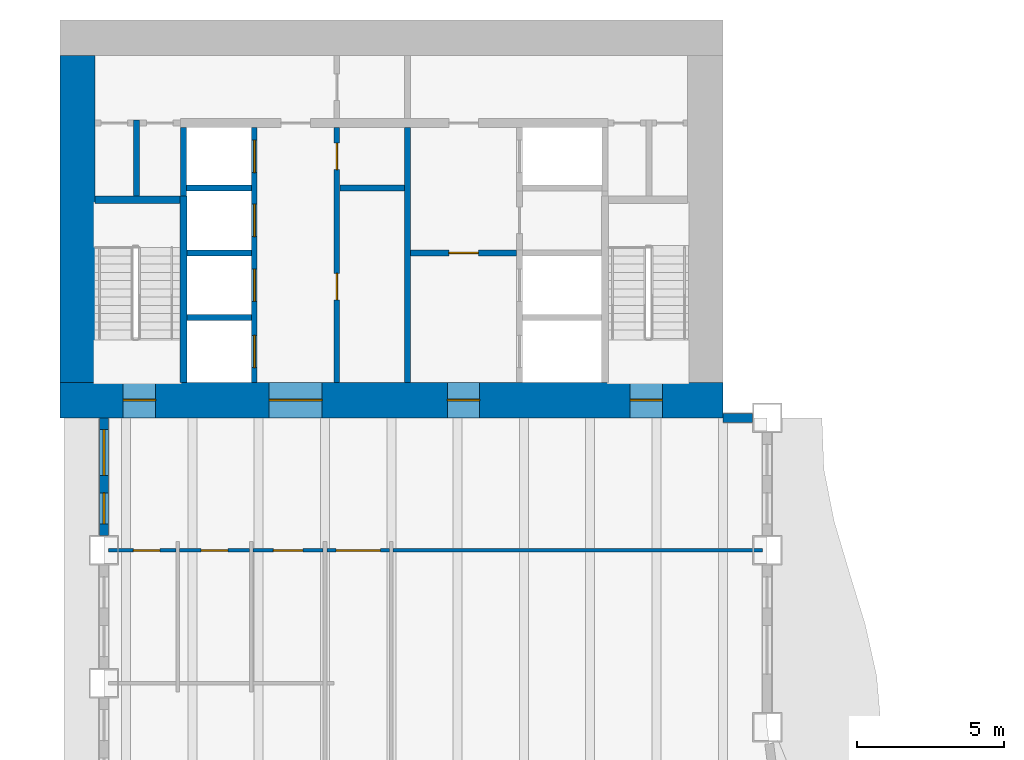
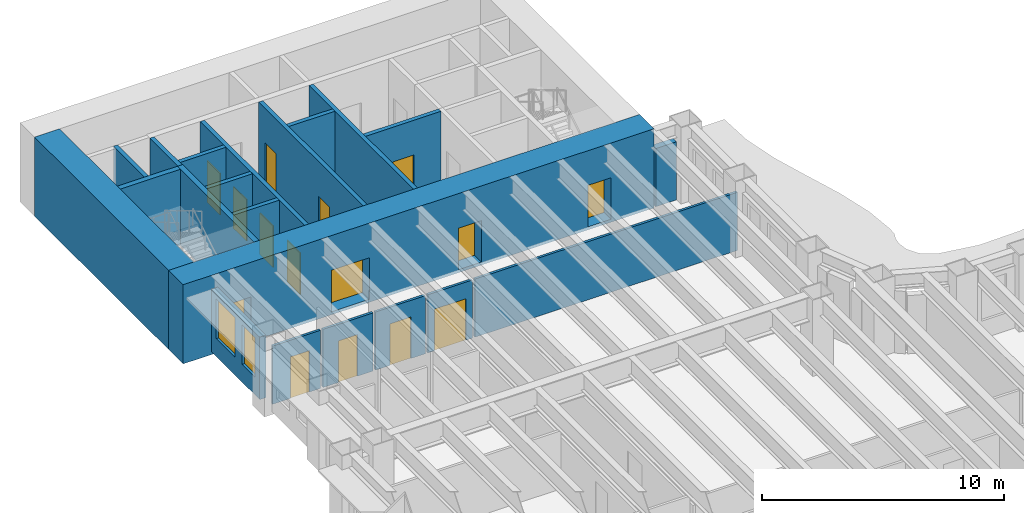
# One storey, part 8 of 16: 21 walls, 15 doors, 2 windows, 17 openings.
"""IFC4 building model written with IfcOpenShell, lengths in metres."""

from ifc_helpers import new_model, si_unit, direction, frame, frame_2d, origin, place, context, subcontext, project, spatial, rectangle, extrude, material, layer, layer_set, type_object, element, fill, save


model = new_model("IFC4")

# Units and contexts
model_context = context("Model", 3, precision=1e-05, world=origin(), true_north=direction((0.0, 1.0)))
body_context = subcontext(model_context, "Body", "Model", "MODEL_VIEW")
ifc_project = project(units=[si_unit("LENGTHUNIT", "METRE"), si_unit("AREAUNIT", "SQUARE_METRE"), si_unit("VOLUMEUNIT", "CUBIC_METRE"), si_unit("PLANEANGLEUNIT", "RADIAN"), si_unit("MASSUNIT", "GRAM", prefix="KILO")], contexts=[model_context])

# Site, building, storey
site_placement = place(None, origin())
site = spatial("IfcSite", under=ifc_project, at=site_placement, CompositionType="ELEMENT")
building_placement = place(site_placement, origin())
building = spatial("IfcBuilding", under=site, at=building_placement, Name="Sennacour Bend Tower", CompositionType="ELEMENT")
storey_placement = place(building_placement, frame((0.0, 0.0, 123.0)))
storey = spatial("IfcBuildingStorey", under=building, at=storey_placement, Name="L28", CompositionType="ELEMENT", Elevation=123.0)

# Wall, openings, doors
ifc_material_1 = material(Name="Concrete C80/95", Category="concrete")
ifc_layer_1 = layer(ifc_material_1, 1.199951171875, Name="Concrete C80/95", Category="concrete")
ifc_layer_set_1 = layer_set([ifc_layer_1], Name="Concrete C80/95")
wall_type_1 = type_object("IfcWallType", Name="Core wall 1200 C80/95", PredefinedType="SHEAR", material=ifc_layer_set_1)
wall_1_placement = place(storey_placement, frame((0.0, 36.60009765625, -0.14990234375), z_axis=(0.0, 0.0, 1.0), x_axis=(1.0, 0.0, 0.0)))
wall_1 = element("IfcWall", 1, at=wall_1_placement, inside=storey, type_object=wall_type_1, Name="Core B wall L28 S", PredefinedType="SHEAR", context=body_context, shape_type="SweptSolid", body=[
    extrude(rectangle(XDim=22.5, YDim=1.199951171875, at=frame_2d((11.25, 0.0))), origin(), (0.0, 0.0, 1.0), 4.0),
])
opening_1_placement = place(wall_1_placement, frame((7.10009765625, 0.0, 0.14990234375)))
opening_1 = element("IfcOpeningElement", 2, at=opening_1_placement, cuts=wall_1, Name="Opening CD", PredefinedType="OPENING", context=body_context, shape_type="SweptSolid", body=[
    extrude(rectangle(XDim=1.800048828125, YDim=2.10009765625, at=frame_2d((0.89990234375, 1.050048828125))), frame((0.0, 0.60986328125, 0.0), z_axis=(0.0, -1.0, 0.0), x_axis=(1.0, 0.0, 0.0)), (0.0, 0.0, 1.0), 1.219970703125),
])
opening_2_placement = place(wall_1_placement, frame((13.14990234375, 0.0, 0.14990234375)))
opening_2 = element("IfcOpeningElement", 3, at=opening_2_placement, cuts=wall_1, Name="Opening FD", PredefinedType="OPENING", context=body_context, shape_type="SweptSolid", body=[
    extrude(rectangle(XDim=1.10009765625, YDim=2.10009765625, at=frame_2d((0.550048828125, 1.050048828125))), frame((0.0, 0.60986328125, 0.0), z_axis=(0.0, -1.0, 0.0), x_axis=(1.0, 0.0, 0.0)), (0.0, 0.0, 1.0), 1.219970703125),
])
opening_3_placement = place(wall_1_placement, frame((2.14990234375, 0.0, 0.14990234375)))
opening_3 = element("IfcOpeningElement", 4, at=opening_3_placement, cuts=wall_1, Name="Opening SD", PredefinedType="OPENING", context=body_context, shape_type="SweptSolid", body=[
    extrude(rectangle(XDim=1.10009765625, YDim=2.10009765625, at=frame_2d((0.550048828125, 1.050048828125))), frame((0.0, 0.60986328125, 0.0), z_axis=(0.0, -1.0, 0.0), x_axis=(1.0, 0.0, 0.0)), (0.0, 0.0, 1.0), 1.219970703125),
])
opening_4_placement = place(wall_1_placement, frame((19.35009765625, 0.0, 0.14990234375)))
opening_4 = element("IfcOpeningElement", 5, at=opening_4_placement, cuts=wall_1, Name="Opening SD", PredefinedType="OPENING", context=body_context, shape_type="SweptSolid", body=[
    extrude(rectangle(XDim=1.10009765625, YDim=2.10009765625, at=frame_2d((0.550048828125, 1.050048828125))), frame((0.0, 0.60986328125, 0.0), z_axis=(0.0, -1.0, 0.0), x_axis=(1.0, 0.0, 0.0)), (0.0, 0.0, 1.0), 1.219970703125),
])
ifc_material_2 = material(Name="Painted steel", Category="steel")
door_type_1 = type_object("IfcDoorType", Name="DR-FFL-1100", OperationType="NOTDEFINED", PredefinedType="DOOR", material=ifc_material_2)
door_1_placement = place(opening_2_placement, origin())
door_1 = element("IfcDoor", 6, at=door_1_placement, inside=storey, type_object=door_type_1, Name="Door", OperationType="SINGLE_SWING_RIGHT", OverallHeight=2.10009765625, OverallWidth=1.10009765625, PredefinedType="DOOR", context=body_context, shape_type="SweptSolid", body=[
    extrude(rectangle(XDim=1.10009765625, YDim=2.10009765625, at=frame_2d((0.550048828125, 1.050048828125))), frame((0.0, 0.02490234375, 0.0), z_axis=(0.0, -1.0, 0.0), x_axis=(1.0, 0.0, 0.0)), (0.0, 0.0, 1.0), 0.050048828125),
])
fill(opening_2, door_1)
door_type_2 = type_object("IfcDoorType", Name="DR-LOBBY-1800", OperationType="NOTDEFINED", PredefinedType="DOOR", material=ifc_material_2)
door_2_placement = place(opening_1_placement, origin())
door_2 = element("IfcDoor", 7, at=door_2_placement, inside=storey, type_object=door_type_2, Name="Door", OperationType="DOUBLE_DOOR_SINGLE_SWING", OverallHeight=2.10009765625, OverallWidth=1.800048828125, PredefinedType="DOOR", context=body_context, shape_type="SweptSolid", body=[
    extrude(rectangle(XDim=1.800048828125, YDim=2.10009765625, at=frame_2d((0.89990234375, 1.050048828125))), frame((0.0, 0.02490234375, 0.0), z_axis=(0.0, -1.0, 0.0), x_axis=(1.0, 0.0, 0.0)), (0.0, 0.0, 1.0), 0.050048828125),
])
fill(opening_1, door_2)
door_type_3 = type_object("IfcDoorType", Name="DR-STAIR-1100", OperationType="NOTDEFINED", PredefinedType="DOOR", material=ifc_material_2)
door_3_placement = place(opening_3_placement, origin())
door_3 = element("IfcDoor", 8, at=door_3_placement, inside=storey, type_object=door_type_3, Name="Door", OperationType="SINGLE_SWING_LEFT", OverallHeight=2.10009765625, OverallWidth=1.10009765625, PredefinedType="DOOR", context=body_context, shape_type="SweptSolid", body=[
    extrude(rectangle(XDim=1.10009765625, YDim=2.10009765625, at=frame_2d((0.550048828125, 1.050048828125))), frame((0.0, 0.02490234375, 0.0), z_axis=(0.0, -1.0, 0.0), x_axis=(1.0, 0.0, 0.0)), (0.0, 0.0, 1.0), 0.050048828125),
])
fill(opening_3, door_3)
door_4_placement = place(opening_4_placement, origin())
door_4 = element("IfcDoor", 9, at=door_4_placement, inside=storey, type_object=door_type_3, Name="Door", OperationType="SINGLE_SWING_RIGHT", OverallHeight=2.10009765625, OverallWidth=1.10009765625, PredefinedType="DOOR", context=body_context, shape_type="SweptSolid", body=[
    extrude(rectangle(XDim=1.10009765625, YDim=2.10009765625, at=frame_2d((0.550048828125, 1.050048828125))), frame((0.0, 0.02490234375, 0.0), z_axis=(0.0, -1.0, 0.0), x_axis=(1.0, 0.0, 0.0)), (0.0, 0.0, 1.0), 0.050048828125),
])
fill(opening_4, door_4)

# Wall
wall_2_placement = place(storey_placement, frame((0.60009765625, 37.199951171875, -0.14990234375), z_axis=(0.0, 0.0, 1.0), x_axis=(0.0, 1.0, 0.0)))
element("IfcWall", 10, at=wall_2_placement, inside=storey, type_object=wall_type_1, Name="Core B wall L28 W", PredefinedType="SHEAR", context=body_context, shape_type="SweptSolid", body=[
    extrude(rectangle(XDim=11.10009765625, YDim=1.199951171875, at=frame_2d((5.550048828125, 0.0))), origin(), (0.0, 0.0, 1.0), 4.0),
])

# Wall, opening, door
ifc_material_3 = material(Name="Plasterboard partition on steel studs", Category="steel")
ifc_layer_2 = layer(ifc_material_3, 0.1201171875, Name="Plasterboard partition on steel studs", Category="steel")
ifc_layer_set_2 = layer_set([ifc_layer_2], Name="Plasterboard partition on steel studs")
wall_type_2 = type_object("IfcWallType", Name="Partition 120", PredefinedType="PARTITIONING", material=ifc_layer_set_2)
wall_3_placement = place(storey_placement, frame((1.64990234375, 31.5, 0.0), z_axis=(0.0, 0.0, 1.0), x_axis=(1.0, 0.0, 0.0)))
wall_3 = element("IfcWall", 11, at=wall_3_placement, inside=storey, type_object=wall_type_2, Name="P-L28-W074aa", PredefinedType="PARTITIONING", context=body_context, shape_type="SweptSolid", body=[
    extrude(rectangle(XDim=2.2900390625, YDim=0.1201171875, at=frame_2d((1.14501953125, 0.0))), origin(), (0.0, 0.0, 1.0), 2.93798828125),
])
opening_5_placement = place(wall_3_placement, frame((0.85009765625, 0.0, 0.0)))
opening_5 = element("IfcOpeningElement", 12, at=opening_5_placement, cuts=wall_3, Name="Opening WD", PredefinedType="OPENING", context=body_context, shape_type="SweptSolid", body=[
    extrude(rectangle(XDim=0.89990234375, YDim=2.10009765625, at=frame_2d((0.449951171875, 1.050048828125))), frame((0.0, 0.070068359375, 0.0), z_axis=(0.0, -1.0, 0.0), x_axis=(1.0, 0.0, 0.0)), (0.0, 0.0, 1.0), 0.14013671875),
])
ifc_material_4 = material(Name="Timber", Category="wood")
door_type_4 = type_object("IfcDoorType", Name="DR-WC-900", OperationType="NOTDEFINED", PredefinedType="DOOR", material=ifc_material_4)
door_5_placement = place(opening_5_placement, origin())
door_5 = element("IfcDoor", 13, at=door_5_placement, inside=storey, type_object=door_type_4, Name="Door", OperationType="SINGLE_SWING_RIGHT", OverallHeight=2.10009765625, OverallWidth=0.89990234375, PredefinedType="DOOR", context=body_context, shape_type="SweptSolid", body=[
    extrude(rectangle(XDim=0.89990234375, YDim=2.10009765625, at=frame_2d((0.449951171875, 1.050048828125))), frame((0.0, 0.02490234375, 0.0), z_axis=(0.0, -1.0, 0.0), x_axis=(1.0, 0.0, 0.0)), (0.0, 0.0, 1.0), 0.050048828125),
])
fill(opening_5, door_5)

wall_4_placement = place(storey_placement, frame((4.06005859375, 31.5, 0.0), z_axis=(0.0, 0.0, 1.0), x_axis=(1.0, 0.0, 0.0)))
wall_4 = element("IfcWall", 14, at=wall_4_placement, inside=storey, type_object=wall_type_2, Name="P-L28-W074ab", PredefinedType="PARTITIONING", context=body_context, shape_type="SweptSolid", body=[
    extrude(rectangle(XDim=2.3798828125, YDim=0.1201171875, at=frame_2d((1.18994140625, 0.0))), origin(), (0.0, 0.0, 1.0), 2.93798828125),
])
opening_6_placement = place(wall_4_placement, frame((0.739990234375, 0.0, 0.0)))
opening_6 = element("IfcOpeningElement", 15, at=opening_6_placement, cuts=wall_4, Name="Opening WD", PredefinedType="OPENING", context=body_context, shape_type="SweptSolid", body=[
    extrude(rectangle(XDim=0.89990234375, YDim=2.10009765625, at=frame_2d((0.449951171875, 1.050048828125))), frame((0.0, 0.070068359375, 0.0), z_axis=(0.0, -1.0, 0.0), x_axis=(1.0, 0.0, 0.0)), (0.0, 0.0, 1.0), 0.14013671875),
])
door_6_placement = place(opening_6_placement, origin())
door_6 = element("IfcDoor", 16, at=door_6_placement, inside=storey, type_object=door_type_4, Name="Door", OperationType="SINGLE_SWING_LEFT", OverallHeight=2.10009765625, OverallWidth=0.89990234375, PredefinedType="DOOR", context=body_context, shape_type="SweptSolid", body=[
    extrude(rectangle(XDim=0.89990234375, YDim=2.10009765625, at=frame_2d((0.449951171875, 1.050048828125))), frame((0.0, 0.02490234375, 0.0), z_axis=(0.0, -1.0, 0.0), x_axis=(1.0, 0.0, 0.0)), (0.0, 0.0, 1.0), 0.050048828125),
])
fill(opening_6, door_6)

wall_5_placement = place(storey_placement, frame((6.56005859375, 31.5, 0.0), z_axis=(0.0, 0.0, 1.0), x_axis=(1.0, 0.0, 0.0)))
wall_5 = element("IfcWall", 17, at=wall_5_placement, inside=storey, type_object=wall_type_2, Name="P-L28-W074ac", PredefinedType="PARTITIONING", context=body_context, shape_type="SweptSolid", body=[
    extrude(rectangle(XDim=2.3798828125, YDim=0.1201171875, at=frame_2d((1.18994140625, 0.0))), origin(), (0.0, 0.0, 1.0), 2.93798828125),
])
opening_7_placement = place(wall_5_placement, frame((0.68994140625, 0.0, 0.0)))
opening_7 = element("IfcOpeningElement", 18, at=opening_7_placement, cuts=wall_5, Name="Opening AD", PredefinedType="OPENING", context=body_context, shape_type="SweptSolid", body=[
    extrude(rectangle(XDim=1.0, YDim=2.10009765625, at=frame_2d((0.5, 1.050048828125))), frame((0.0, 0.070068359375, 0.0), z_axis=(0.0, -1.0, 0.0), x_axis=(1.0, 0.0, 0.0)), (0.0, 0.0, 1.0), 0.14013671875),
])
door_type_5 = type_object("IfcDoorType", Name="DR-ACC-WC-1000", OperationType="NOTDEFINED", PredefinedType="DOOR", material=ifc_material_4)
door_7_placement = place(opening_7_placement, origin())
door_7 = element("IfcDoor", 19, at=door_7_placement, inside=storey, type_object=door_type_5, Name="Door", OperationType="SINGLE_SWING_LEFT", OverallHeight=2.10009765625, OverallWidth=1.0, PredefinedType="DOOR", context=body_context, shape_type="SweptSolid", body=[
    extrude(rectangle(XDim=1.0, YDim=2.10009765625, at=frame_2d((0.5, 1.050048828125))), frame((0.0, 0.02490234375, 0.0), z_axis=(0.0, -1.0, 0.0), x_axis=(1.0, 0.0, 0.0)), (0.0, 0.0, 1.0), 0.050048828125),
])
fill(opening_7, door_7)

# Wall
wall_6_placement = place(storey_placement, frame((11.31005859375, 31.5, 0.0), z_axis=(0.0, 0.0, 1.0), x_axis=(1.0, 0.0, 0.0)))
element("IfcWall", 20, at=wall_6_placement, inside=storey, type_object=wall_type_2, Name="P-L28-W074ae", PredefinedType="PARTITIONING", context=body_context, shape_type="SweptSolid", body=[
    extrude(rectangle(XDim=12.5400390625, YDim=0.1201171875, at=frame_2d((6.27001953125, 0.0))), origin(), (0.0, 0.0, 1.0), 2.93798828125),
])

# Wall, opening, door
ifc_layer_3 = layer(ifc_material_3, 0.1201171875, Name="Plasterboard partition on steel studs", Category="steel")
ifc_layer_set_3 = layer_set([ifc_layer_3], Name="Plasterboard partition on steel studs")
wall_type_3 = type_object("IfcWallType", Name="Partition 120 EI 30", PredefinedType="PARTITIONING", material=ifc_layer_set_3)
wall_7_placement = place(storey_placement, frame((9.06005859375, 31.5, 0.0), z_axis=(0.0, 0.0, 1.0), x_axis=(1.0, 0.0, 0.0)))
wall_7 = element("IfcWall", 21, at=wall_7_placement, inside=storey, type_object=wall_type_3, Name="P-L28-W074ad", PredefinedType="PARTITIONING", context=body_context, shape_type="SweptSolid", body=[
    extrude(rectangle(XDim=2.1298828125, YDim=0.1201171875, at=frame_2d((1.06494140625, 0.0))), origin(), (0.0, 0.0, 1.0), 2.93798828125),
])
opening_8_placement = place(wall_7_placement, frame((0.31494140625, 0.0, 0.0)))
opening_8 = element("IfcOpeningElement", 22, at=opening_8_placement, cuts=wall_7, Name="Opening KD", PredefinedType="OPENING", context=body_context, shape_type="SweptSolid", body=[
    extrude(rectangle(XDim=1.5, YDim=2.10009765625, at=frame_2d((0.75, 1.050048828125))), frame((0.0, 0.070068359375, 0.0), z_axis=(0.0, -1.0, 0.0), x_axis=(1.0, 0.0, 0.0)), (0.0, 0.0, 1.0), 0.14013671875),
])
door_type_6 = type_object("IfcDoorType", Name="DR-CORRIDOR-1500", OperationType="NOTDEFINED", PredefinedType="DOOR", material=ifc_material_2)
door_8_placement = place(opening_8_placement, origin())
door_8 = element("IfcDoor", 23, at=door_8_placement, inside=storey, type_object=door_type_6, Name="Door", OperationType="SINGLE_SWING_LEFT", OverallHeight=2.10009765625, OverallWidth=1.5, PredefinedType="DOOR", context=body_context, shape_type="SweptSolid", body=[
    extrude(rectangle(XDim=1.5, YDim=2.10009765625, at=frame_2d((0.75, 1.050048828125))), frame((0.0, 0.02490234375, 0.0), z_axis=(0.0, -1.0, 0.0), x_axis=(1.0, 0.0, 0.0)), (0.0, 0.0, 1.0), 0.050048828125),
])
fill(opening_8, door_8)

# Wall
ifc_material_5 = material(Name="Fire-rated plasterboard partition on steel studs", Category="steel")
ifc_layer_4 = layer(ifc_material_5, 0.199951171875, Name="Fire-rated plasterboard partition on steel studs", Category="steel")
ifc_layer_set_4 = layer_set([ifc_layer_4], Name="Fire-rated plasterboard partition on steel studs")
wall_type_4 = type_object("IfcWallType", Name="Rated partition 200", PredefinedType="PARTITIONING", material=ifc_layer_set_4)
wall_8_placement = place(storey_placement, frame((2.60009765625, 43.52490234375, 0.0), z_axis=(0.0, 0.0, 1.0), x_axis=(0.0, 1.0, 0.0)))
element("IfcWall", 24, at=wall_8_placement, inside=storey, type_object=wall_type_4, Name="P-L28-W004", PredefinedType="PARTITIONING", context=body_context, shape_type="SweptSolid", body=[
    extrude(rectangle(XDim=2.5751953125, YDim=0.199951171875, at=frame_2d((1.28759765625, 0.0))), origin(), (0.0, 0.0, 1.0), 3.85009765625),
])

# Wall, openings, doors
wall_9_placement = place(storey_placement, frame((9.39990234375, 37.199951171875, 0.0), z_axis=(0.0, 0.0, 1.0), x_axis=(0.0, 1.0, 0.0)))
wall_9 = element("IfcWall", 25, at=wall_9_placement, inside=storey, type_object=wall_type_4, Name="P-L28-W012a", PredefinedType="PARTITIONING", context=body_context, shape_type="SweptSolid", body=[
    extrude(rectangle(XDim=8.650146484375, YDim=0.199951171875, at=frame_2d((4.3251953125, 0.0))), origin(), (0.0, 0.0, 1.0), 3.85009765625),
])
opening_9_placement = place(wall_9_placement, frame((2.800048828125, 0.0, 0.0)))
opening_9 = element("IfcOpeningElement", 26, at=opening_9_placement, cuts=wall_9, Name="Opening SV", PredefinedType="OPENING", context=body_context, shape_type="SweptSolid", body=[
    extrude(rectangle(XDim=0.89990234375, YDim=2.10009765625, at=frame_2d((0.449951171875, 1.050048828125))), frame((0.0, 0.10986328125, 0.0), z_axis=(0.0, -1.0, 0.0), x_axis=(1.0, 0.0, 0.0)), (0.0, 0.0, 1.0), 0.219970703125),
])
opening_10_placement = place(wall_9_placement, frame((7.22509765625, 0.0, 0.0)))
opening_10 = element("IfcOpeningElement", 27, at=opening_10_placement, cuts=wall_9, Name="Opening SV", PredefinedType="OPENING", context=body_context, shape_type="SweptSolid", body=[
    extrude(rectangle(XDim=0.89990234375, YDim=2.10009765625, at=frame_2d((0.449951171875, 1.050048828125))), frame((0.0, 0.10986328125, 0.0), z_axis=(0.0, -1.0, 0.0), x_axis=(1.0, 0.0, 0.0)), (0.0, 0.0, 1.0), 0.219970703125),
])
door_type_7 = type_object("IfcDoorType", Name="DR-SERVICE-900", OperationType="NOTDEFINED", PredefinedType="DOOR", material=ifc_material_2)
door_9_placement = place(opening_9_placement, origin())
door_9 = element("IfcDoor", 28, at=door_9_placement, inside=storey, type_object=door_type_7, Name="Door", OperationType="SINGLE_SWING_LEFT", OverallHeight=2.10009765625, OverallWidth=0.89990234375, PredefinedType="DOOR", context=body_context, shape_type="SweptSolid", body=[
    extrude(rectangle(XDim=0.89990234375, YDim=2.10009765625, at=frame_2d((0.449951171875, 1.050048828125))), frame((0.0, 0.02490234375, 0.0), z_axis=(0.0, -1.0, 0.0), x_axis=(1.0, 0.0, 0.0)), (0.0, 0.0, 1.0), 0.050048828125),
])
fill(opening_9, door_9)
door_10_placement = place(opening_10_placement, origin())
door_10 = element("IfcDoor", 29, at=door_10_placement, inside=storey, type_object=door_type_7, Name="Door", OperationType="SINGLE_SWING_RIGHT", OverallHeight=2.10009765625, OverallWidth=0.89990234375, PredefinedType="DOOR", context=body_context, shape_type="SweptSolid", body=[
    extrude(rectangle(XDim=0.89990234375, YDim=2.10009765625, at=frame_2d((0.449951171875, 1.050048828125))), frame((0.0, 0.02490234375, 0.0), z_axis=(0.0, -1.0, 0.0), x_axis=(1.0, 0.0, 0.0)), (0.0, 0.0, 1.0), 0.050048828125),
])
fill(opening_10, door_10)

# Walls
wall_10_placement = place(storey_placement, frame((11.800048828125, 37.199951171875, 0.0), z_axis=(0.0, 0.0, 1.0), x_axis=(0.0, 1.0, 0.0)))
element("IfcWall", 30, at=wall_10_placement, inside=storey, type_object=wall_type_4, Name="P-L28-W014a", PredefinedType="PARTITIONING", context=body_context, shape_type="SweptSolid", body=[
    extrude(rectangle(XDim=8.650146484375, YDim=0.199951171875, at=frame_2d((4.3251953125, 0.0))), origin(), (0.0, 0.0, 1.0), 3.85009765625),
])
wall_11_placement = place(storey_placement, frame((9.5, 43.800048828125, 0.0), z_axis=(0.0, 0.0, 1.0), x_axis=(1.0, 0.0, 0.0)))
element("IfcWall", 31, at=wall_11_placement, inside=storey, type_object=wall_type_4, Name="P-L28-W084", PredefinedType="PARTITIONING", context=body_context, shape_type="SweptSolid", body=[
    extrude(rectangle(XDim=2.199951171875, YDim=0.199951171875, at=frame_2d((1.10009765625, 0.0))), origin(), (0.0, 0.0, 1.0), 3.85009765625),
])

# Wall, opening, door
ifc_layer_5 = layer(ifc_material_5, 0.199951171875, Name="Fire-rated plasterboard partition on steel studs", Category="steel")
ifc_layer_set_5 = layer_set([ifc_layer_5], Name="Fire-rated plasterboard partition on steel studs")
wall_type_5 = type_object("IfcWallType", Name="Rated partition 200 EI 90", PredefinedType="PARTITIONING", material=ifc_layer_set_5)
wall_12_placement = place(storey_placement, frame((11.89990234375, 41.60009765625, 0.0), z_axis=(0.0, 0.0, 1.0), x_axis=(1.0, 0.0, 0.0)))
wall_12 = element("IfcWall", 32, at=wall_12_placement, inside=storey, type_object=wall_type_5, Name="P-L28-W079", PredefinedType="PARTITIONING", context=body_context, shape_type="SweptSolid", body=[
    extrude(rectangle(XDim=3.60009765625, YDim=0.199951171875, at=frame_2d((1.800048828125, 0.0))), origin(), (0.0, 0.0, 1.0), 3.85009765625),
])
opening_11_placement = place(wall_12_placement, frame((1.300048828125, 0.0, 0.0)))
opening_11 = element("IfcOpeningElement", 33, at=opening_11_placement, cuts=wall_12, Name="Opening FD2", PredefinedType="OPENING", context=body_context, shape_type="SweptSolid", body=[
    extrude(rectangle(XDim=1.0, YDim=2.10009765625, at=frame_2d((0.5, 1.050048828125))), frame((0.0, 0.10986328125, 0.0), z_axis=(0.0, -1.0, 0.0), x_axis=(1.0, 0.0, 0.0)), (0.0, 0.0, 1.0), 0.219970703125),
])
door_type_8 = type_object("IfcDoorType", Name="DR-FFL-1000", OperationType="NOTDEFINED", PredefinedType="DOOR", material=ifc_material_2)
door_11_placement = place(opening_11_placement, origin())
door_11 = element("IfcDoor", 34, at=door_11_placement, inside=storey, type_object=door_type_8, Name="Door", OperationType="SINGLE_SWING_LEFT", OverallHeight=2.10009765625, OverallWidth=1.0, PredefinedType="DOOR", context=body_context, shape_type="SweptSolid", body=[
    extrude(rectangle(XDim=1.0, YDim=2.10009765625, at=frame_2d((0.5, 1.050048828125))), frame((0.0, 0.02490234375, 0.0), z_axis=(0.0, -1.0, 0.0), x_axis=(1.0, 0.0, 0.0)), (0.0, 0.0, 1.0), 0.050048828125),
])
fill(opening_11, door_11)

# Wall
ifc_material_6 = material(Name="Warm limestone cladding", Category="masonry")
ifc_layer_6 = layer(ifc_material_6, 0.050048828125, Name="Warm limestone cladding", Category="masonry")
ifc_material_7 = material(Name="Precast concrete C40/50", Category="concrete")
ifc_layer_7 = layer(ifc_material_7, 0.25, Name="Precast concrete C40/50", Category="concrete")
ifc_layer_set_6 = layer_set([ifc_layer_6, ifc_layer_7], Name="Precast concrete C40/50 with limestone cladding")
wall_type_6 = type_object("IfcWallType", Name="STONE-CLAD PRECAST SPANDREL 300", PredefinedType="STANDARD", material=ifc_layer_set_6)
wall_13_placement = place(storey_placement, frame((23.5, 36.0, 0.0), z_axis=(0.0, 0.0, 1.0), x_axis=(-1.0, 0.0, 0.0)))
element("IfcWall", 35, at=wall_13_placement, inside=storey, type_object=wall_type_6, Name="Stone spandrel and pier wall L28 14.00", PredefinedType="STANDARD", context=body_context, shape_type="SweptSolid", body=[
    extrude(rectangle(XDim=1.0, YDim=0.300048828125, at=frame_2d((0.5, 0.0))), origin(), (0.0, 0.0, 1.0), 2.93798828125),
])

# Wall, openings, windows
wall_14_placement = place(storey_placement, frame((1.5, 36.0, 0.0), z_axis=(0.0, 0.0, 1.0), x_axis=(0.0, -1.0, 0.0)))
wall_14 = element("IfcWall", 36, at=wall_14_placement, inside=storey, type_object=wall_type_6, Name="Stone spandrel and pier wall L28 19.00", PredefinedType="STANDARD", context=body_context, shape_type="SweptSolid", body=[
    extrude(rectangle(XDim=4.0, YDim=0.300048828125, at=frame_2d((2.0, 0.0))), origin(), (0.0, 0.0, 1.0), 3.154052734375),
])
opening_12_placement = place(wall_14_placement, frame((0.39990234375, 0.0, 0.89990234375)))
opening_12 = element("IfcOpeningElement", 37, at=opening_12_placement, cuts=wall_14, Name="Opening W9", PredefinedType="OPENING", context=body_context, shape_type="SweptSolid", body=[
    extrude(rectangle(XDim=1.550048828125, YDim=2.0, at=frame_2d((0.77490234375, 1.0))), frame((0.0, 0.16015625, 0.0), z_axis=(0.0, -1.0, 0.0), x_axis=(1.0, 0.0, 0.0)), (0.0, 0.0, 1.0), 0.320068359375),
])
opening_13_placement = place(wall_14_placement, frame((2.550048828125, 0.0, 0.89990234375)))
opening_13 = element("IfcOpeningElement", 38, at=opening_13_placement, cuts=wall_14, Name="Opening W13", PredefinedType="OPENING", context=body_context, shape_type="SweptSolid", body=[
    extrude(rectangle(XDim=1.050048828125, YDim=2.0, at=frame_2d((0.52490234375, 1.0))), frame((0.0, 0.16015625, 0.0), z_axis=(0.0, -1.0, 0.0), x_axis=(1.0, 0.0, 0.0)), (0.0, 0.0, 1.0), 0.320068359375),
])
ifc_material_8 = material(Name="Clear low-emissivity glass", Category="glass")
window_type_1 = type_object("IfcWindowType", Name="WIN-RIBBON-1050x2000", PartitioningType="SINGLE_PANEL", PredefinedType="WINDOW", material=ifc_material_8)
window_1_placement = place(opening_13_placement, origin())
window_1 = element("IfcWindow", 39, at=window_1_placement, inside=storey, type_object=window_type_1, Name="Ribbon window L28 19.00.1", OverallHeight=2.0, OverallWidth=1.050048828125, PartitioningType="SINGLE_PANEL", PredefinedType="WINDOW", context=body_context, shape_type="SweptSolid", body=[
    extrude(rectangle(XDim=1.050048828125, YDim=2.0, at=frame_2d((0.52490234375, 1.0))), frame((0.0, 0.030029296875, 0.0), z_axis=(0.0, -1.0, 0.0), x_axis=(1.0, 0.0, 0.0)), (0.0, 0.0, 1.0), 0.06005859375),
])
fill(opening_13, window_1)
window_type_2 = type_object("IfcWindowType", Name="WIN-RIBBON-1550x2000", PartitioningType="SINGLE_PANEL", PredefinedType="WINDOW", material=ifc_material_8)
window_2_placement = place(opening_12_placement, origin())
window_2 = element("IfcWindow", 40, at=window_2_placement, inside=storey, type_object=window_type_2, Name="Ribbon window L28 19.00.0", OverallHeight=2.0, OverallWidth=1.550048828125, PartitioningType="SINGLE_PANEL", PredefinedType="WINDOW", context=body_context, shape_type="SweptSolid", body=[
    extrude(rectangle(XDim=1.550048828125, YDim=2.0, at=frame_2d((0.77490234375, 1.0))), frame((0.0, 0.030029296875, 0.0), z_axis=(0.0, -1.0, 0.0), x_axis=(1.0, 0.0, 0.0)), (0.0, 0.0, 1.0), 0.06005859375),
])
fill(opening_12, window_2)

# Wall
ifc_material_9 = material(Name="Concrete C50/60", Category="concrete")
ifc_layer_8 = layer(ifc_material_9, 0.199951171875, Name="Concrete C50/60", Category="concrete")
ifc_layer_set_7 = layer_set([ifc_layer_8], Name="Concrete C50/60")
wall_type_7 = type_object("IfcWallType", Name="Shaft wall 200", PredefinedType="SOLIDWALL", material=ifc_layer_set_7)
wall_15_placement = place(storey_placement, frame((4.199951171875, 43.52490234375, 0.0), z_axis=(0.0, 0.0, 1.0), x_axis=(0.0, 1.0, 0.0)))
element("IfcWall", 41, at=wall_15_placement, inside=storey, type_object=wall_type_7, Name="P-L28-W007", PredefinedType="SOLIDWALL", context=body_context, shape_type="SweptSolid", body=[
    extrude(rectangle(XDim=2.3251953125, YDim=0.199951171875, at=frame_2d((1.16259765625, 0.0))), origin(), (0.0, 0.0, 1.0), 3.85009765625),
])

# Wall, openings, doors
wall_16_placement = place(storey_placement, frame((6.60009765625, 37.199951171875, 0.0), z_axis=(0.0, 0.0, 1.0), x_axis=(0.0, 1.0, 0.0)))
wall_16 = element("IfcWall", 42, at=wall_16_placement, inside=storey, type_object=wall_type_7, Name="P-L28-W009", PredefinedType="SOLIDWALL", context=body_context, shape_type="SweptSolid", body=[
    extrude(rectangle(XDim=8.650146484375, YDim=0.199951171875, at=frame_2d((4.3251953125, 0.0))), origin(), (0.0, 0.0, 1.0), 3.85009765625),
])
opening_14_placement = place(wall_16_placement, frame((0.5, 0.0, 0.011962890625)))
opening_14 = element("IfcOpeningElement", 43, at=opening_14_placement, cuts=wall_16, Name="Opening LD", PredefinedType="OPENING", context=body_context, shape_type="SweptSolid", body=[
    extrude(rectangle(XDim=1.10009765625, YDim=2.10009765625, at=frame_2d((0.550048828125, 1.050048828125))), frame((0.0, 0.10986328125, 0.0), z_axis=(0.0, -1.0, 0.0), x_axis=(1.0, 0.0, 0.0)), (0.0, 0.0, 1.0), 0.219970703125),
])
opening_15_placement = place(wall_16_placement, frame((2.75, 0.0, 0.011962890625)))
opening_15 = element("IfcOpeningElement", 44, at=opening_15_placement, cuts=wall_16, Name="Opening LD", PredefinedType="OPENING", context=body_context, shape_type="SweptSolid", body=[
    extrude(rectangle(XDim=1.10009765625, YDim=2.10009765625, at=frame_2d((0.550048828125, 1.050048828125))), frame((0.0, 0.10986328125, 0.0), z_axis=(0.0, -1.0, 0.0), x_axis=(1.0, 0.0, 0.0)), (0.0, 0.0, 1.0), 0.219970703125),
])
opening_16_placement = place(wall_16_placement, frame((4.949951171875, 0.0, 0.011962890625)))
opening_16 = element("IfcOpeningElement", 45, at=opening_16_placement, cuts=wall_16, Name="Opening LD", PredefinedType="OPENING", context=body_context, shape_type="SweptSolid", body=[
    extrude(rectangle(XDim=1.10009765625, YDim=2.10009765625, at=frame_2d((0.550048828125, 1.050048828125))), frame((0.0, 0.10986328125, 0.0), z_axis=(0.0, -1.0, 0.0), x_axis=(1.0, 0.0, 0.0)), (0.0, 0.0, 1.0), 0.219970703125),
])
opening_17_placement = place(wall_16_placement, frame((7.125, 0.0, 0.011962890625)))
opening_17 = element("IfcOpeningElement", 46, at=opening_17_placement, cuts=wall_16, Name="Opening LD", PredefinedType="OPENING", context=body_context, shape_type="SweptSolid", body=[
    extrude(rectangle(XDim=1.10009765625, YDim=2.10009765625, at=frame_2d((0.550048828125, 1.050048828125))), frame((0.0, 0.10986328125, 0.0), z_axis=(0.0, -1.0, 0.0), x_axis=(1.0, 0.0, 0.0)), (0.0, 0.0, 1.0), 0.219970703125),
])
ifc_material_10 = material(Name="Stainless steel", Category="steel")
door_type_9 = type_object("IfcDoorType", Name="DR-LANDING-1100", OperationType="NOTDEFINED", PredefinedType="DOOR", material=ifc_material_10)
door_12_placement = place(opening_14_placement, origin())
door_12 = element("IfcDoor", 47, at=door_12_placement, inside=storey, type_object=door_type_9, Name="Lift landing door LB1", OperationType="SLIDING_TO_LEFT", OverallHeight=2.10009765625, OverallWidth=1.10009765625, PredefinedType="DOOR", context=body_context, shape_type="SweptSolid", body=[
    extrude(rectangle(XDim=1.10009765625, YDim=2.10009765625, at=frame_2d((0.550048828125, 1.050048828125))), frame((0.0, 0.02490234375, 0.0), z_axis=(0.0, -1.0, 0.0), x_axis=(1.0, 0.0, 0.0)), (0.0, 0.0, 1.0), 0.050048828125),
])
fill(opening_14, door_12)
door_13_placement = place(opening_15_placement, origin())
door_13 = element("IfcDoor", 48, at=door_13_placement, inside=storey, type_object=door_type_9, Name="Lift landing door LB2", OperationType="SLIDING_TO_RIGHT", OverallHeight=2.10009765625, OverallWidth=1.10009765625, PredefinedType="DOOR", context=body_context, shape_type="SweptSolid", body=[
    extrude(rectangle(XDim=1.10009765625, YDim=2.10009765625, at=frame_2d((0.550048828125, 1.050048828125))), frame((0.0, 0.02490234375, 0.0), z_axis=(0.0, -1.0, 0.0), x_axis=(1.0, 0.0, 0.0)), (0.0, 0.0, 1.0), 0.050048828125),
])
fill(opening_15, door_13)
door_14_placement = place(opening_16_placement, origin())
door_14 = element("IfcDoor", 49, at=door_14_placement, inside=storey, type_object=door_type_9, Name="Lift landing door LB3", OperationType="SLIDING_TO_LEFT", OverallHeight=2.10009765625, OverallWidth=1.10009765625, PredefinedType="DOOR", context=body_context, shape_type="SweptSolid", body=[
    extrude(rectangle(XDim=1.10009765625, YDim=2.10009765625, at=frame_2d((0.550048828125, 1.050048828125))), frame((0.0, 0.02490234375, 0.0), z_axis=(0.0, -1.0, 0.0), x_axis=(1.0, 0.0, 0.0)), (0.0, 0.0, 1.0), 0.050048828125),
])
fill(opening_16, door_14)
door_15_placement = place(opening_17_placement, origin())
door_15 = element("IfcDoor", 50, at=door_15_placement, inside=storey, type_object=door_type_9, Name="Lift landing door LB4", OperationType="SLIDING_TO_RIGHT", OverallHeight=2.10009765625, OverallWidth=1.10009765625, PredefinedType="DOOR", context=body_context, shape_type="SweptSolid", body=[
    extrude(rectangle(XDim=1.10009765625, YDim=2.10009765625, at=frame_2d((0.550048828125, 1.050048828125))), frame((0.0, 0.02490234375, 0.0), z_axis=(0.0, -1.0, 0.0), x_axis=(1.0, 0.0, 0.0)), (0.0, 0.0, 1.0), 0.050048828125),
])
fill(opening_17, door_15)

# Walls
for number, where, z_axis, x_axis, name in (
    (51, (4.324951171875, 39.39990234375, 0.0), (0.0, 0.0, 1.0), (1.0, 0.0, 0.0), "P-L28-W076"),
    (52, (4.324951171875, 41.60009765625, 0.0), (0.0, 0.0, 1.0), (1.0, 0.0, 0.0), "P-L28-W078"),
):
    element("IfcWall", number, at=place(storey_placement, frame(where, z_axis=z_axis, x_axis=x_axis)), inside=storey, type_object=wall_type_7, Name=name, PredefinedType="SOLIDWALL", context=body_context, shape_type="SweptSolid", body=[
        extrude(rectangle(XDim=2.175048828125, YDim=0.199951171875, at=frame_2d((1.08740234375, 0.0))), origin(), (0.0, 0.0, 1.0), 3.85009765625),
    ])
wall_17_placement = place(storey_placement, frame((4.300048828125, 43.800048828125, 0.0), z_axis=(0.0, 0.0, 1.0), x_axis=(1.0, 0.0, 0.0)))
element("IfcWall", 53, at=wall_17_placement, inside=storey, type_object=wall_type_7, Name="P-L28-W083", PredefinedType="SOLIDWALL", context=body_context, shape_type="SweptSolid", body=[
    extrude(rectangle(XDim=2.199951171875, YDim=0.199951171875, at=frame_2d((1.10009765625, 0.0))), origin(), (0.0, 0.0, 1.0), 3.85009765625),
])
ifc_material_11 = material(Name="Concrete C60/75", Category="concrete")
ifc_layer_9 = layer(ifc_material_11, 0.25, Name="Concrete C60/75", Category="concrete")
ifc_layer_set_8 = layer_set([ifc_layer_9], Name="Concrete C60/75")
wall_type_8 = type_object("IfcWallType", Name="Stair wall 250", PredefinedType="SHEAR", material=ifc_layer_set_8)
wall_18_placement = place(storey_placement, frame((4.199951171875, 37.199951171875, 0.0), z_axis=(0.0, 0.0, 1.0), x_axis=(0.0, 1.0, 0.0)))
element("IfcWall", 54, at=wall_18_placement, inside=storey, type_object=wall_type_8, Name="P-L28-W006", PredefinedType="SHEAR", context=body_context, shape_type="SweptSolid", body=[
    extrude(rectangle(XDim=6.324951171875, YDim=0.25, at=frame_2d((3.16259765625, 0.0))), origin(), (0.0, 0.0, 1.0), 3.85009765625),
])
wall_19_placement = place(storey_placement, frame((1.199951171875, 43.39990234375, 0.0), z_axis=(0.0, 0.0, 1.0), x_axis=(1.0, 0.0, 0.0)))
element("IfcWall", 55, at=wall_19_placement, inside=storey, type_object=wall_type_8, Name="P-L28-W081", PredefinedType="SHEAR", context=body_context, shape_type="SweptSolid", body=[
    extrude(rectangle(XDim=2.875, YDim=0.25, at=frame_2d((1.4375, 0.0))), origin(), (0.0, 0.0, 1.0), 3.85009765625),
])

save(model, "model.ifc")
